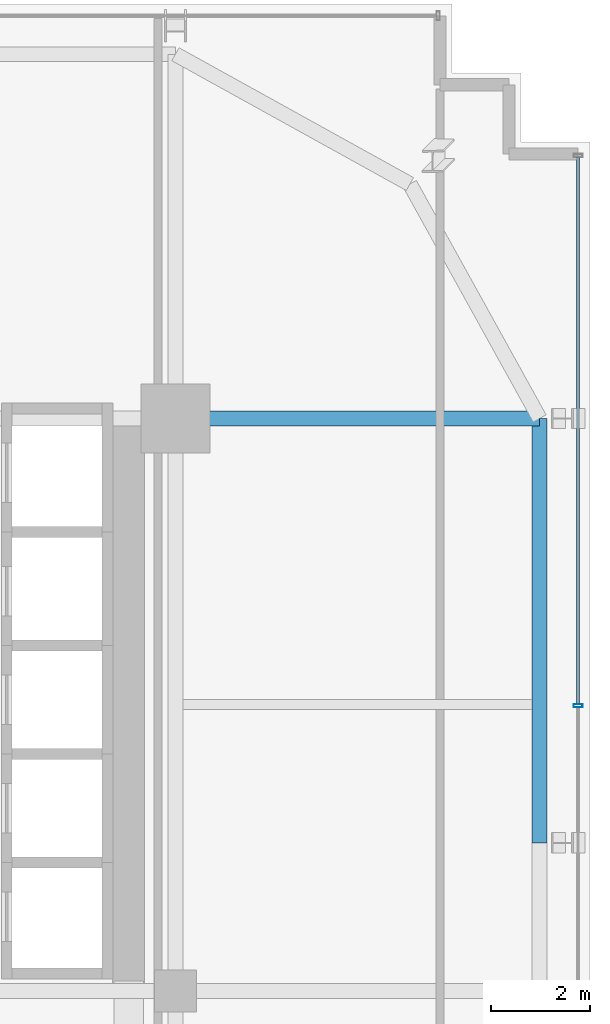
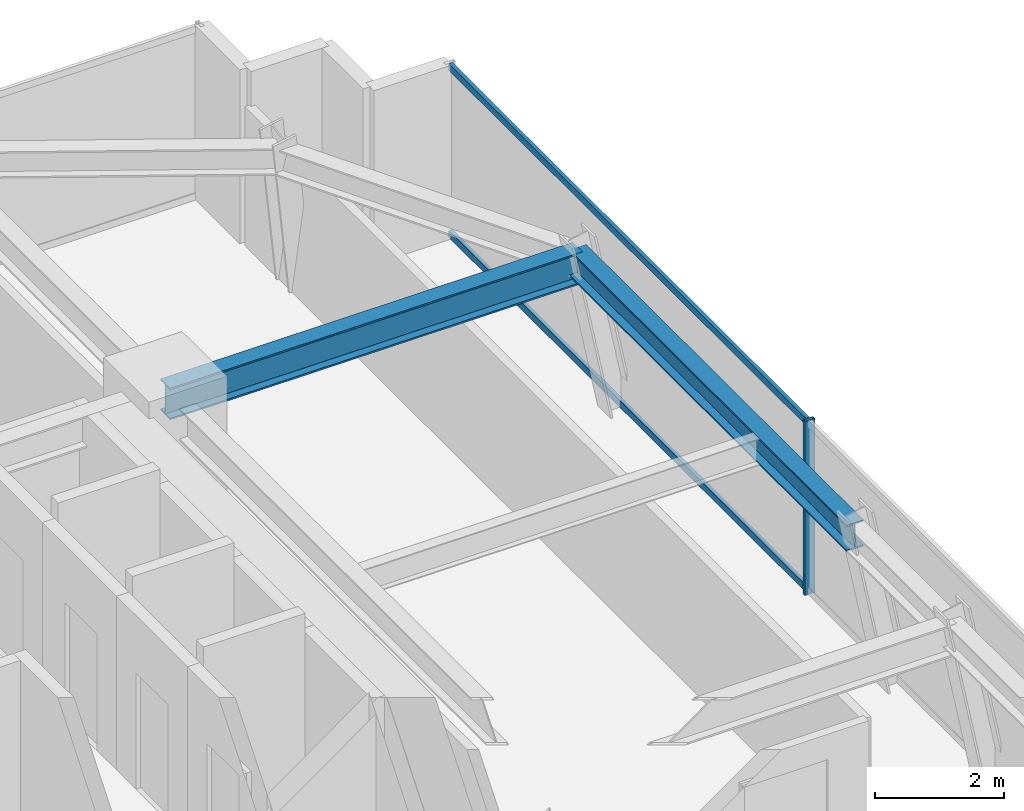
# One storey, part 24 of 35: 3 members, 2 beams, 1 element without a shape of its own.
"""IFC4 building model written with IfcOpenShell, lengths in metres."""

from ifc_helpers import new_model, si_unit, direction, frame, origin, origin_2d, place, context, subcontext, project, spatial, hollow_rectangle, i_section, extrude, source, transform, mapped, material, material_profile, profile_set, type_object, element, aggregate, save


model = new_model("IFC4")

# Units and contexts
model_context = context("Model", 3, precision=1e-05, world=origin(), true_north=direction((0.0, 1.0)))
body_context = subcontext(model_context, "Body", "Model", "MODEL_VIEW")
ifc_project = project(units=[si_unit("LENGTHUNIT", "METRE"), si_unit("AREAUNIT", "SQUARE_METRE"), si_unit("VOLUMEUNIT", "CUBIC_METRE"), si_unit("PLANEANGLEUNIT", "RADIAN"), si_unit("MASSUNIT", "GRAM", prefix="KILO")], contexts=[model_context])

# Site, building, storey
site_placement = place(None, origin())
site = spatial("IfcSite", under=ifc_project, at=site_placement, CompositionType="ELEMENT")
building_placement = place(site_placement, origin())
building = spatial("IfcBuilding", under=site, at=building_placement, Name="Nahalor Promenade Grand Hotel", CompositionType="ELEMENT")
storey_placement = place(building_placement, frame((0.0, 0.0, 79.85009765625)))
storey = spatial("IfcBuildingStorey", under=building, at=storey_placement, Name="L19", CompositionType="ELEMENT", Elevation=79.85009765625)

# Beams
ifc_material_1 = material(Name="Steel S355JR", Category="steel")
ifc_material_profile_1 = material_profile(ifc_material_1, i_section(OverallWidth=0.3, OverallDepth=0.5, WebThickness=0.0145, FlangeThickness=0.028, at=origin_2d()), Name="HEB 500")
ifc_profile_set_1 = profile_set([ifc_material_profile_1], Name="Steel S355JR")
beam_type_1 = type_object("IfcBeamType", Name="Beam-Spandrel-HEB500", PredefinedType="SPANDREL", material=ifc_profile_set_1)
shared_shape_1 = source(origin(), body_context, "Body", "SweptSolid", [
    extrude(i_section(OverallWidth=0.3, OverallDepth=0.5, WebThickness=0.0145, FlangeThickness=0.028, at=origin_2d()), origin(), (0.0, 0.0, 1.0), 8.60009765625),
])
beam_1_placement = place(storey_placement, frame((24.3798828125, 8.39990234375, 3.039794921875), z_axis=(0.0, 1.0, 0.0), x_axis=(-1.0, 0.0, 0.0)))
element("IfcBeam", 1, at=beam_1_placement, inside=storey, type_object=beam_type_1, Name="BM-L19-SP-E-4", PredefinedType="SPANDREL", context=body_context, shape_type="MappedRepresentation", body=[
    mapped(shared_shape_1, transform((0.0, 0.0, 0.0), scale=1.0)),
])
ifc_material_profile_2 = material_profile(ifc_material_1, i_section(OverallWidth=0.3, OverallDepth=0.6, WebThickness=0.0155, FlangeThickness=0.03, at=origin_2d()), Name="HEB 600")
ifc_profile_set_2 = profile_set([ifc_material_profile_2], Name="Steel S355JR")
beam_type_2 = type_object("IfcBeamType", Name="Beam-Girder-HEB600", PredefinedType="BEAM", material=ifc_profile_set_2)
shared_shape_2 = source(origin(), body_context, "Body", "SweptSolid", [
    extrude(i_section(OverallWidth=0.3, OverallDepth=0.6, WebThickness=0.0155, FlangeThickness=0.03, at=origin_2d()), origin(), (0.0, 0.0, 1.0), 7.3798828125),
])
beam_2_placement = place(storey_placement, frame((17.0, 17.0, 2.989990234375), z_axis=(1.0, 0.0, 0.0), x_axis=(0.0, 1.0, 0.0)))
element("IfcBeam", 2, at=beam_2_placement, inside=storey, type_object=beam_type_2, Name="BM-L19-GX-3-6", PredefinedType="BEAM", context=body_context, shape_type="MappedRepresentation", body=[
    mapped(shared_shape_2, transform((0.0, 0.0, 0.0), scale=1.0)),
])

# Curtain wall, members
ifc_material_2 = material(Name="Anodised Bronze Aluminium EN AW-6063 T6", Category="aluminium")
curtain_wall_type = type_object("IfcCurtainWallType", Name="CW2 Typical Hotel Flush Bronze Unitised Curtain Wall", PredefinedType="USERDEFINED", material=ifc_material_2)
curtain_wall_placement = place(storey_placement, origin())
curtain_wall = element("IfcCurtainWall", 3, at=curtain_wall_placement, inside=storey, type_object=curtain_wall_type, Name="L19 Curtain Wall CW-L19-E-1", ObjectType="UNITISED_CURTAIN_WALL", PredefinedType="USERDEFINED")
ifc_material_profile_3 = material_profile(ifc_material_2, hollow_rectangle(XDim=0.065, YDim=0.13, WallThickness=0.004, at=origin_2d()), Name="CWT 65x130x4")
ifc_profile_set_3 = profile_set([ifc_material_profile_3], Name="Anodised Bronze Aluminium EN AW-6063 T6")
member_type_1 = type_object("IfcMemberType", Name="CWT2 Typical Bronze Transom 65x130", PredefinedType="USERDEFINED", material=ifc_profile_set_3)
shared_shape_3 = source(origin(), body_context, "Body", "SweptSolid", [
    extrude(hollow_rectangle(XDim=0.065, YDim=0.13, WallThickness=0.004, at=origin_2d()), origin(), (0.0, 0.0, 1.0), 11.08251953125),
])
member_1_placement = place(storey_placement, frame((25.159912109375, 11.21240234375, 0.06494140625), z_axis=(0.0, 1.0, 0.0), x_axis=(-1.0, 0.0, 0.0)))
member_1 = element("IfcMember", 4, at=member_1_placement, type_object=member_type_1, Name="CW-L19-E-1 Transom 3-0", ObjectType="TRANSOM", PredefinedType="USERDEFINED", context=body_context, shape_type="MappedRepresentation", body=[
    mapped(shared_shape_3, transform((0.0, 0.0, 0.0), scale=1.0)),
])
member_2_placement = place(storey_placement, frame((25.159912109375, 11.21240234375, 3.224853515625), z_axis=(0.0, 1.0, 0.0), x_axis=(-1.0, 0.0, 0.0)))
member_2 = element("IfcMember", 5, at=member_2_placement, type_object=member_type_1, Name="CW-L19-E-1 Transom 3-1", ObjectType="TRANSOM", PredefinedType="USERDEFINED", context=body_context, shape_type="MappedRepresentation", body=[
    mapped(shared_shape_3, transform((0.0, 0.0, 0.0), scale=1.0)),
])
ifc_material_profile_4 = material_profile(ifc_material_2, hollow_rectangle(XDim=0.065, YDim=0.18, WallThickness=0.004, at=origin_2d()), Name="CWM 65x180x4")
ifc_profile_set_4 = profile_set([ifc_material_profile_4], Name="Anodised Bronze Aluminium EN AW-6063 T6")
member_type_2 = type_object("IfcMemberType", Name="CWM2 Typical Bronze Mullion 65x180", PredefinedType="MULLION", material=ifc_profile_set_4)
shared_shape_4 = source(origin(), body_context, "Body", "SweptSolid", [
    extrude(hollow_rectangle(XDim=0.065, YDim=0.18, WallThickness=0.004, at=origin_2d()), origin(), (0.0, 0.0, 1.0), 3.289794921875),
])
member_3_placement = place(storey_placement, frame((25.159912109375, 11.179931640625, 0.0), z_axis=(0.0, 0.0, 1.0), x_axis=(0.0, 1.0, 0.0)))
member_3 = element("IfcMember", 6, at=member_3_placement, type_object=member_type_2, Name="CW-L19-E-1 Mullion 3", PredefinedType="MULLION", context=body_context, shape_type="MappedRepresentation", body=[
    mapped(shared_shape_4, transform((0.0, 0.0, 0.0), scale=1.0)),
])
aggregate(curtain_wall, [member_3, member_1, member_2])

save(model, "model.ifc")
